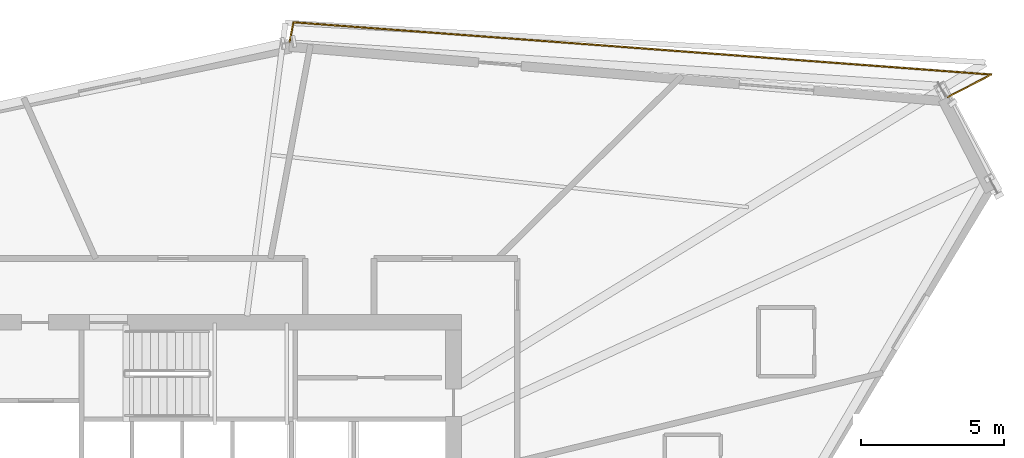
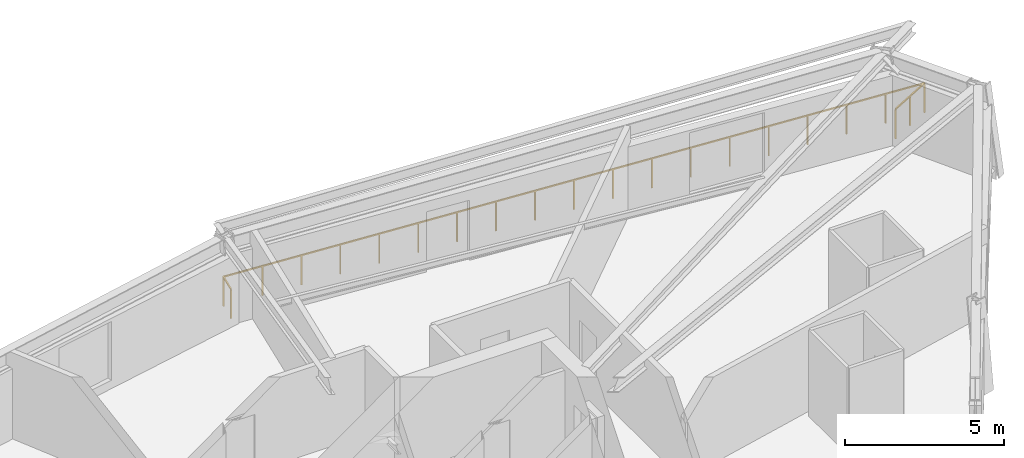
# One storey, part 15 of 15: 1 railing.
"""IFC4 building model written with IfcOpenShell, lengths in metres."""

from ifc_helpers import new_model, si_unit, direction, frame, origin, origin_2d, place, context, subcontext, project, spatial, rectangle, extrude, material, type_object, element, save


model = new_model("IFC4")

# Units and contexts
model_context = context("Model", 3, precision=1e-05, world=origin(), true_north=direction((0.0, 1.0)))
body_context = subcontext(model_context, "Body", "Model", "MODEL_VIEW")
ifc_project = project(units=[si_unit("LENGTHUNIT", "METRE"), si_unit("AREAUNIT", "SQUARE_METRE"), si_unit("VOLUMEUNIT", "CUBIC_METRE"), si_unit("PLANEANGLEUNIT", "RADIAN"), si_unit("MASSUNIT", "GRAM", prefix="KILO")], contexts=[model_context])

# Site, building, storey
site_placement = place(None, origin())
site = spatial("IfcSite", under=ifc_project, at=site_placement, CompositionType="ELEMENT")
building_placement = place(site_placement, origin())
building = spatial("IfcBuilding", under=site, at=building_placement, Name="Olszyna Solenne Hotel", CompositionType="ELEMENT")
storey_placement = place(building_placement, frame((0.0, 0.0, 146.60009765625)))
storey = spatial("IfcBuildingStorey", under=building, at=storey_placement, Name="L38", CompositionType="ELEMENT", Elevation=146.60009765625)

# Railing
ifc_material = material(Name="Anodised bronze aluminium", Category="aluminium")
railing_type = type_object("IfcRailingType", Name="GR-110", PredefinedType="BALUSTRADE", material=ifc_material)
railing_placement = place(storey_placement, frame((63.421875, 41.83740234375, 0.0)))
element("IfcRailing", 1, at=railing_placement, inside=storey, type_object=railing_type, Name="Loggia balcony balustrade guard GR-L38-LG1", PredefinedType="BALUSTRADE", context=body_context, shape_type="SweptSolid", body=[
    extrude(rectangle(XDim=0.048095703125, YDim=0.048095703125, at=origin_2d()), frame((0.0, 0.0, 1.1259765625), z_axis=(0.88763221009, 0.460552993271, 0.0), x_axis=(-0.460552993271, 0.88763221009, 0.0)), (0.0, 0.0, 1.0), 1.692138671875),
    extrude(rectangle(XDim=0.048095703125, YDim=0.048095703125, at=origin_2d()), frame((1.501953125, 0.779296875, 1.1259765625), z_axis=(-0.997200988542, 0.074767562831, 0.0), x_axis=(-0.074767562831, -0.997200988542, 0.0)), (0.0, 0.0, 1.0), 24.40185546875),
    extrude(rectangle(XDim=0.048095703125, YDim=0.048095703125, at=origin_2d()), frame((-22.83154296875, 2.603759765625, 1.1259765625), z_axis=(-0.188234711813, -0.982124072238, 0.0), x_axis=(0.982124072238, -0.188234711813, 0.0)), (0.0, 0.0, 1.0), 0.70947265625),
    extrude(rectangle(XDim=0.0419921875, YDim=0.0419921875, at=origin_2d()), origin(), (0.0, 0.0, 1.0), 1.101806640625),
    extrude(rectangle(XDim=0.0419921875, YDim=0.0419921875, at=origin_2d()), frame((0.7509765625, 0.3896484375, 0.0)), (0.0, 0.0, 1.0), 1.101806640625),
    extrude(rectangle(XDim=0.0419921875, YDim=0.0419921875, at=origin_2d()), frame((1.501953125, 0.779296875, 0.0)), (0.0, 0.0, 1.0), 1.101806640625),
    extrude(rectangle(XDim=0.0419921875, YDim=0.0419921875, at=origin_2d()), frame((0.150146484375, 0.880615234375, 0.0)), (0.0, 0.0, 1.0), 1.101806640625),
    extrude(rectangle(XDim=0.0419921875, YDim=0.0419921875, at=origin_2d()), frame((-1.20166015625, 0.98193359375, 0.0)), (0.0, 0.0, 1.0), 1.101806640625),
    extrude(rectangle(XDim=0.0419921875, YDim=0.0419921875, at=origin_2d()), frame((-2.5537109375, 1.08349609375, 0.0)), (0.0, 0.0, 1.0), 1.101806640625),
    extrude(rectangle(XDim=0.0419921875, YDim=0.0419921875, at=origin_2d()), frame((-3.905517578125, 1.184814453125, 0.0)), (0.0, 0.0, 1.0), 1.101806640625),
    extrude(rectangle(XDim=0.0419921875, YDim=0.0419921875, at=origin_2d()), frame((-5.25732421875, 1.2861328125, 0.0)), (0.0, 0.0, 1.0), 1.101806640625),
    extrude(rectangle(XDim=0.0419921875, YDim=0.0419921875, at=origin_2d()), frame((-6.609130859375, 1.387451171875, 0.0)), (0.0, 0.0, 1.0), 1.101806640625),
    extrude(rectangle(XDim=0.0419921875, YDim=0.0419921875, at=origin_2d()), frame((-7.961181640625, 1.48876953125, 0.0)), (0.0, 0.0, 1.0), 1.101806640625),
    extrude(rectangle(XDim=0.0419921875, YDim=0.0419921875, at=origin_2d()), frame((-9.31298828125, 1.590087890625, 0.0)), (0.0, 0.0, 1.0), 1.101806640625),
    extrude(rectangle(XDim=0.0419921875, YDim=0.0419921875, at=origin_2d()), frame((-10.664794921875, 1.69140625, 0.0)), (0.0, 0.0, 1.0), 1.101806640625),
    extrude(rectangle(XDim=0.0419921875, YDim=0.0419921875, at=origin_2d()), frame((-12.0166015625, 1.79296875, 0.0)), (0.0, 0.0, 1.0), 1.101806640625),
    extrude(rectangle(XDim=0.0419921875, YDim=0.0419921875, at=origin_2d()), frame((-13.368408203125, 1.894287109375, 0.0)), (0.0, 0.0, 1.0), 1.101806640625),
    extrude(rectangle(XDim=0.0419921875, YDim=0.0419921875, at=origin_2d()), frame((-14.720458984375, 1.99560546875, 0.0)), (0.0, 0.0, 1.0), 1.101806640625),
    extrude(rectangle(XDim=0.0419921875, YDim=0.0419921875, at=origin_2d()), frame((-16.072265625, 2.096923828125, 0.0)), (0.0, 0.0, 1.0), 1.101806640625),
    extrude(rectangle(XDim=0.0419921875, YDim=0.0419921875, at=origin_2d()), frame((-17.424072265625, 2.1982421875, 0.0)), (0.0, 0.0, 1.0), 1.101806640625),
    extrude(rectangle(XDim=0.0419921875, YDim=0.0419921875, at=origin_2d()), frame((-18.77587890625, 2.2998046875, 0.0)), (0.0, 0.0, 1.0), 1.101806640625),
    extrude(rectangle(XDim=0.0419921875, YDim=0.0419921875, at=origin_2d()), frame((-20.1279296875, 2.401123046875, 0.0)), (0.0, 0.0, 1.0), 1.101806640625),
    extrude(rectangle(XDim=0.0419921875, YDim=0.0419921875, at=origin_2d()), frame((-21.479736328125, 2.50244140625, 0.0)), (0.0, 0.0, 1.0), 1.101806640625),
    extrude(rectangle(XDim=0.0419921875, YDim=0.0419921875, at=origin_2d()), frame((-22.83154296875, 2.603759765625, 0.0)), (0.0, 0.0, 1.0), 1.101806640625),
    extrude(rectangle(XDim=0.0419921875, YDim=0.0419921875, at=origin_2d()), frame((-22.965087890625, 1.906982421875, 0.0)), (0.0, 0.0, 1.0), 1.101806640625),
])

save(model, "model.ifc")
